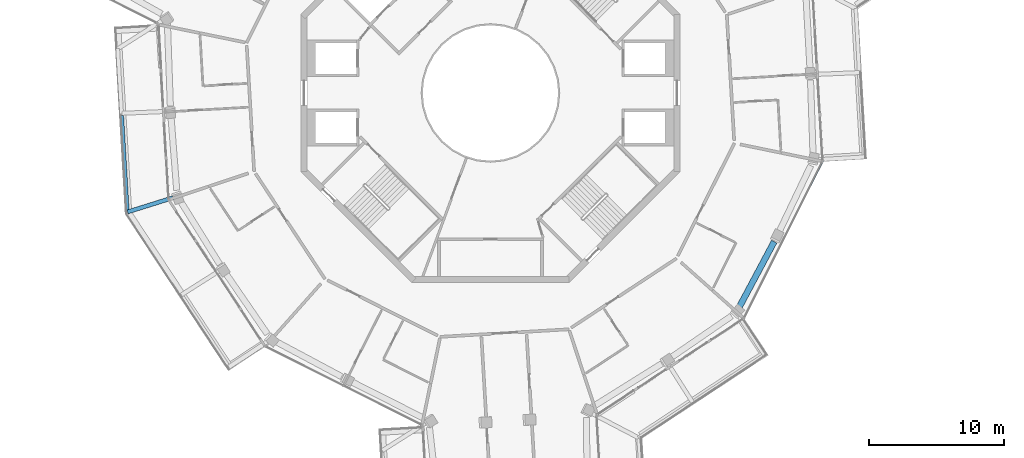
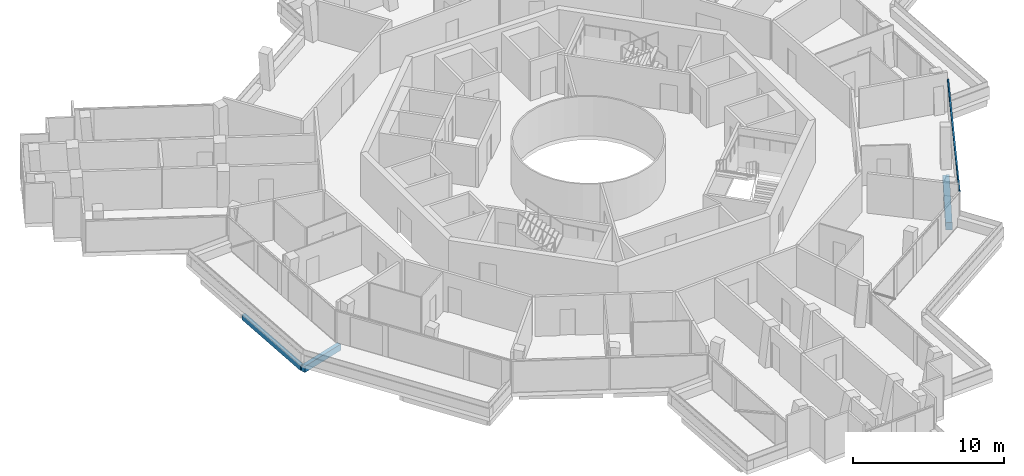
# One storey, part 4 of 26: 3 beams, 1 member, 1 element without a shape of its own.
"""IFC4 building model written with IfcOpenShell, lengths in metres."""

from ifc_helpers import new_model, si_unit, direction, frame, origin, origin_2d, place, context, subcontext, project, spatial, rectangle, extrude, material, layer, layer_set, material_profile, profile_set, type_object, element, aggregate, save


model = new_model("IFC4")

# Units and contexts
model_context = context("Model", 3, precision=1e-05, world=origin(), true_north=direction((0.0, 1.0)))
body_context = subcontext(model_context, "Body", "Model", "MODEL_VIEW")
ifc_project = project(units=[si_unit("LENGTHUNIT", "METRE"), si_unit("AREAUNIT", "SQUARE_METRE"), si_unit("VOLUMEUNIT", "CUBIC_METRE"), si_unit("PLANEANGLEUNIT", "RADIAN"), si_unit("MASSUNIT", "GRAM", prefix="KILO")], contexts=[model_context])

# Site, building, storey
site_placement = place(None, origin())
site = spatial("IfcSite", under=ifc_project, at=site_placement, CompositionType="ELEMENT")
building_placement = place(site_placement, origin())
building = spatial("IfcBuilding", under=site, at=building_placement, Name="Verdalira Terraces Hotel", CompositionType="ELEMENT")
storey_placement = place(building_placement, frame((0.0, 0.0, 291.5)))
storey = spatial("IfcBuildingStorey", under=building, at=storey_placement, Name="L72", CompositionType="ELEMENT", Elevation=291.5)

# Beams
ifc_material_1 = material(Name="Concrete C40", Category="concrete")
ifc_material_profile_1 = material_profile(ifc_material_1, rectangle(XDim=0.300049, YDim=0.5, at=origin_2d()), Name="RC 300X500")
ifc_profile_set_1 = profile_set([ifc_material_profile_1], Name="Concrete C40")
beam_type_1 = type_object("IfcBeamType", Name="Balcony cantilever beam RC 300X500 C40", PredefinedType="BEAM", material=ifc_profile_set_1)
beam_1_placement = place(storey_placement, frame((-23.453613, -7.739502, -0.560059), z_axis=(-0.954231559, -0.299068775, 0.0), x_axis=(0.299068775, -0.954231559, 0.0)))
element("IfcBeam", 1, at=beam_1_placement, inside=storey, type_object=beam_type_1, Name="Balcony cantilever beam R11-5", PredefinedType="BEAM", context=body_context, shape_type="SweptSolid", body=[
    extrude(rectangle(XDim=0.300049, YDim=0.5, at=origin_2d()), origin(), (0.0, 0.0, 1.0), 3.502197),
])
ifc_material_2 = material(Name="Concrete C40", Category="concrete")
ifc_material_profile_2 = material_profile(ifc_material_2, rectangle(XDim=0.25, YDim=0.449951, at=origin_2d()), Name="RC 250X450")
ifc_profile_set_2 = profile_set([ifc_material_profile_2], Name="Concrete C40")
beam_type_2 = type_object("IfcBeamType", Name="Balcony edge beam RC 250X450 C40", PredefinedType="BEAM", material=ifc_profile_set_2)
beam_2_placement = place(storey_placement, frame((-27.208496, -1.6521, -0.534912), z_axis=(0.057823414, -0.998326827, 0.0), x_axis=(0.998326827, 0.057823414, 0.0)))
element("IfcBeam", 2, at=beam_2_placement, inside=storey, type_object=beam_type_2, Name="Balcony edge beam R11-3", PredefinedType="BEAM", context=body_context, shape_type="SweptSolid", body=[
    extrude(rectangle(XDim=0.25, YDim=0.449951, at=origin_2d()), origin(), (0.0, 0.0, 1.0), 6.991943),
])

# Curtain wall, member
ifc_material_3 = material(Name="Clear glass", Category="glass")
ifc_layer = layer(ifc_material_3, 0.14990234375)
ifc_layer_set = layer_set([ifc_layer], Name="CW1 curtain wall")
curtain_wall_type = type_object("IfcCurtainWallType", Name="CW1 curtain wall", PredefinedType="NOTDEFINED", material=ifc_layer_set)
curtain_wall_placement = place(storey_placement, origin())
curtain_wall = element("IfcCurtainWall", 3, at=curtain_wall_placement, inside=storey, type_object=curtain_wall_type, Name="CW1 curtain wall L72 edge 26", PredefinedType="NOTDEFINED")
ifc_material_4 = material(Name="Terracotta frame", Category="masonry")
ifc_material_profile_3 = material_profile(ifc_material_4, rectangle(XDim=0.110107, YDim=0.064941, at=origin_2d()), Name="TR 65x110")
ifc_profile_set_3 = profile_set([ifc_material_profile_3], Name="Terracotta frame")
member_type = type_object("IfcMemberType", Name="CW1 transom 65x110", PredefinedType="USERDEFINED", material=ifc_profile_set_3)
member_placement = place(storey_placement, frame((18.719482, -16.617432, 2.557617), z_axis=(0.448384817, 0.893840621, 0.0), x_axis=(-0.893840621, 0.448384817, 0.0)))
member = element("IfcMember", 4, at=member_placement, type_object=member_type, Name="CW1 transom", ObjectType="TRANSOM", PredefinedType="USERDEFINED", context=body_context, shape_type="SweptSolid", body=[
    extrude(rectangle(XDim=0.110107, YDim=0.064941, at=origin_2d()), origin(), (0.0, 0.0, 1.0), 12.919678),
])
aggregate(curtain_wall, [member])

# Beam
ifc_material_5 = material(Name="Concrete C40", Category="concrete")
ifc_material_profile_4 = material_profile(ifc_material_5, rectangle(XDim=0.449951, YDim=0.600098, at=origin_2d()), Name="RC 450X600")
ifc_profile_set_4 = profile_set([ifc_material_profile_4], Name="Concrete C40")
beam_type_3 = type_object("IfcBeamType", Name="Spandrel beam RC 450X600 C40", PredefinedType="SPANDREL", material=ifc_profile_set_4)
beam_3_placement = place(storey_placement, frame((18.349121, -15.854248, -0.610107), z_axis=(0.470730465, 0.882277071, 0.0), x_axis=(-0.882277071, 0.470730465, 0.0)))
element("IfcBeam", 5, at=beam_3_placement, inside=storey, type_object=beam_type_3, Name="Spandrel beam B15", PredefinedType="SPANDREL", context=body_context, shape_type="SweptSolid", body=[
    extrude(rectangle(XDim=0.449951, YDim=0.600098, at=origin_2d()), origin(), (0.0, 0.0, 1.0), 5.523438),
])

save(model, "model.ifc")
